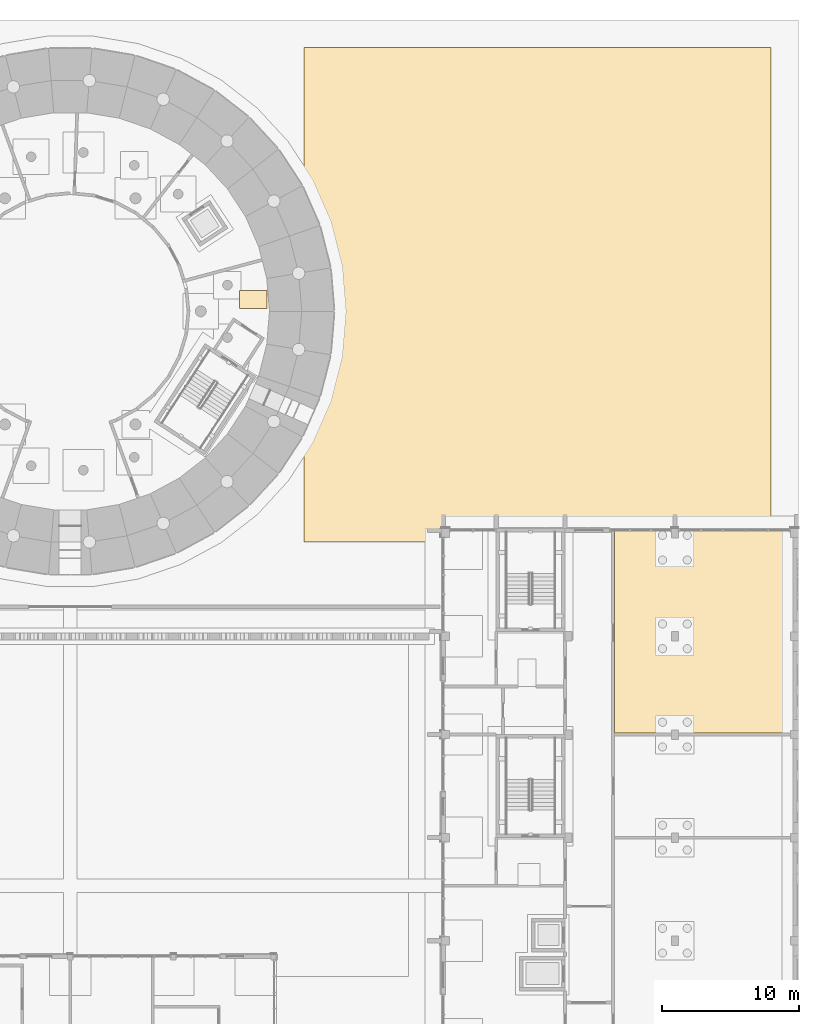
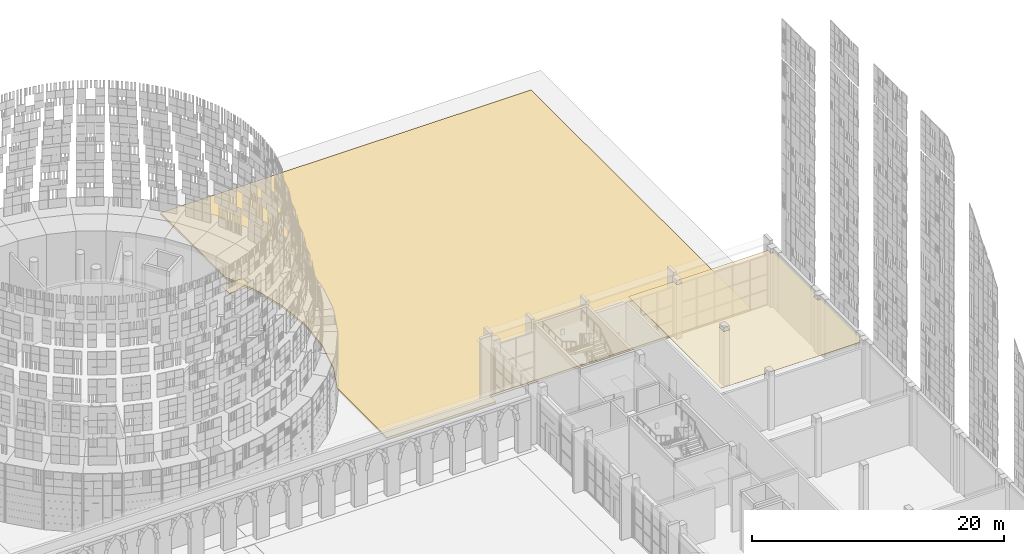
# One storey, part 124 of 125: 3 coverings.
"""IFC4 building model written with IfcOpenShell, lengths in metres."""

from ifc_helpers import new_model, si_unit, direction, frame, origin, place, context, subcontext, project, spatial, polyline, outline, extrude, material, layer, layer_set, type_object, element, save


model = new_model("IFC4")

# Units and contexts
model_context = context("Model", 3, precision=1e-05, world=origin(), true_north=direction((0.0, 1.0)))
body_context = subcontext(model_context, "Body", "Model", "MODEL_VIEW")
ifc_project = project(units=[si_unit("LENGTHUNIT", "METRE"), si_unit("AREAUNIT", "SQUARE_METRE"), si_unit("VOLUMEUNIT", "CUBIC_METRE"), si_unit("PLANEANGLEUNIT", "RADIAN"), si_unit("MASSUNIT", "GRAM", prefix="KILO")], contexts=[model_context])

# Site, building, storey
site_placement = place(None, origin())
site = spatial("IfcSite", under=ifc_project, at=site_placement, CompositionType="ELEMENT")
building_placement = place(site_placement, origin())
building = spatial("IfcBuilding", under=site, at=building_placement, Name="Sun Court Science Centre", CompositionType="ELEMENT")
storey_placement = place(building_placement, origin())
storey = spatial("IfcBuildingStorey", under=building, at=storey_placement, Name="L00", CompositionType="ELEMENT", Elevation=0.0)

# Coverings
ifc_material_1 = material(Name="Gypsum board")
ifc_layer_1 = layer(ifc_material_1, 0.030029296875)
ifc_layer_set_1 = layer_set([ifc_layer_1], Name="Gypsum board")
covering_type_1 = type_object("IfcCoveringType", Name="Ceiling suspended 600 module", PredefinedType="CEILING", material=ifc_layer_set_1)
covering_1_placement = place(storey_placement, frame((0.0, 0.0, 5.27001953125)))
element("IfcCovering", 1, at=covering_1_placement, inside=storey, type_object=covering_type_1, Name="L00-057 ceiling", PredefinedType="CEILING", context=body_context, shape_type="SweptSolid", body=[
    extrude(outline(polyline([(103.800048828125, 73.449951171875), (103.39990234375, 73.449951171875), (103.39990234375, 72.85009765625), (103.800048828125, 72.85009765625), (103.800048828125, 66.300048828125), (103.39990234375, 66.300048828125), (103.39990234375, 66.10009765625), (95.25, 66.10009765625), (95.25, 66.35009765625), (94.75, 66.35009765625), (94.75, 66.10009765625), (90.60009765625, 66.10009765625), (90.60009765625, 80.800048828125), (94.75, 80.800048828125), (94.75, 80.300048828125), (95.25, 80.300048828125), (95.25, 80.800048828125), (103.39990234375, 80.800048828125), (103.39990234375, 80.35009765625), (103.800048828125, 80.35009765625), (103.800048828125, 73.449951171875)]), holes=[polyline([(94.75, 72.800048828125), (95.25, 72.800048828125), (95.25, 73.5), (94.75, 73.5), (94.75, 72.800048828125)])]), origin(), (0.0, 0.0, 1.0), 0.030029296875),
])
covering_2_placement = place(storey_placement, frame((0.0, 0.0, 5.27001953125)))
element("IfcCovering", 2, at=covering_2_placement, inside=storey, type_object=covering_type_1, Name="L00-089 ceiling", PredefinedType="CEILING", context=body_context, shape_type="SweptSolid", body=[
    extrude(outline(polyline([(65.33154296875, 98.3203125), (65.33154296875, 97.020263671875), (63.33154296875, 97.020263671875), (63.33154296875, 98.3203125), (65.33154296875, 98.3203125)])), origin(), (0.0, 0.0, 1.0), 0.030029296875),
])
ifc_material_2 = material(Name="Planting soil and lawn")
ifc_layer_2 = layer(ifc_material_2, 0.199951171875)
ifc_layer_set_2 = layer_set([ifc_layer_2], Name="Planting soil and lawn")
covering_type_2 = type_object("IfcCoveringType", Name="Planting bed 200", PredefinedType="FLOORING", material=ifc_layer_set_2)
covering_3_placement = place(storey_placement, frame((0.0, 0.0, -0.199951171875)))
element("IfcCovering", 3, at=covering_3_placement, inside=storey, type_object=covering_type_2, Name="Planting beds", PredefinedType="FLOORING", context=body_context, shape_type="SweptSolid", body=[
    extrude(outline(polyline([(78.0, 81.0), (78.0, 80.0), (68.0, 80.0), (68.0, 87.921875), (69.15966796875, 90.565673828125), (69.938232421875, 93.639892578125), (70.199951171875, 96.800048828125), (69.938232421875, 99.960205078125), (69.15966796875, 103.0341796875), (68.0, 105.677978515625), (68.0, 116.0), (102.0, 116.0), (102.0, 81.0), (78.0, 81.0)])), origin(), (0.0, 0.0, 1.0), 0.199951171875),
])

save(model, "model.ifc")
